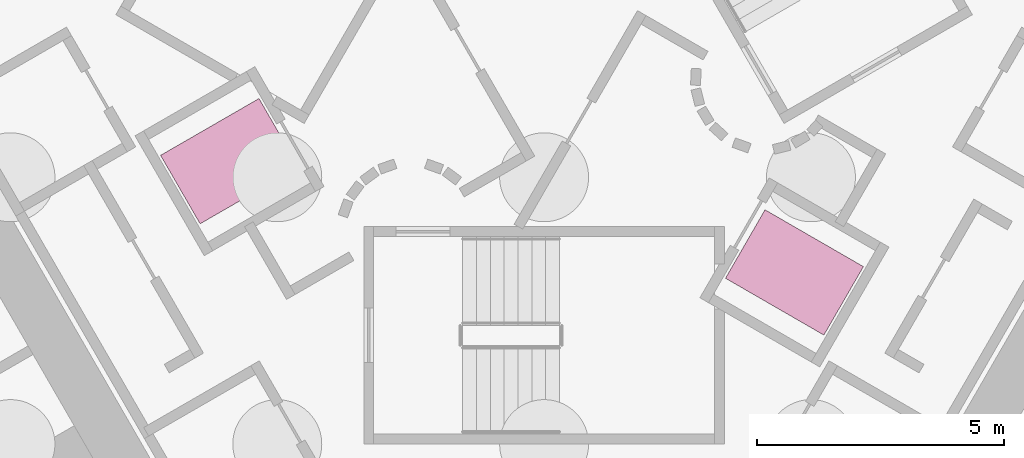
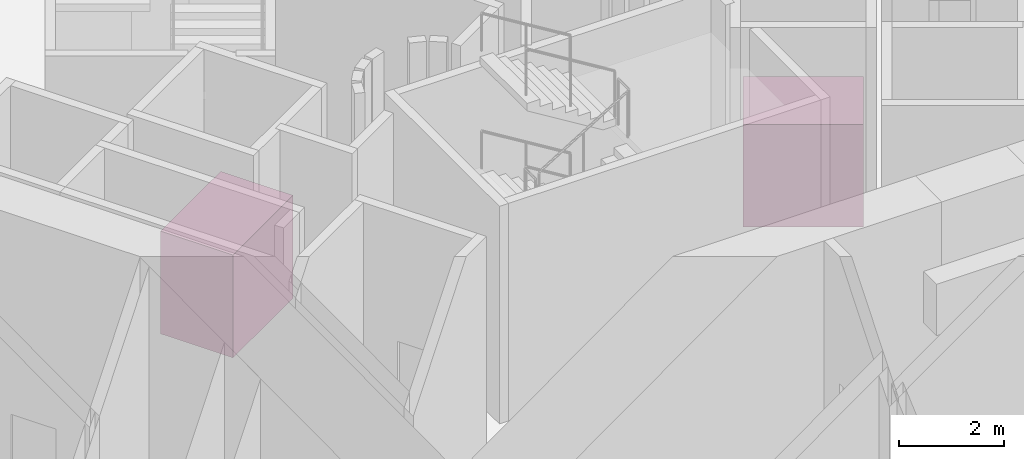
# One storey, part 14 of 14: 2 transport elements.
"""IFC4 building model written with IfcOpenShell, lengths in metres."""

from ifc_helpers import new_model, si_unit, direction, frame, origin, origin_2d, place, context, subcontext, project, spatial, rectangle, extrude, material, type_object, element, save


model = new_model("IFC4")

# Units and contexts
model_context = context("Model", 3, precision=1e-05, world=origin(), true_north=direction((0.0, 1.0)))
body_context = subcontext(model_context, "Body", "Model", "MODEL_VIEW")
ifc_project = project(units=[si_unit("LENGTHUNIT", "METRE"), si_unit("AREAUNIT", "SQUARE_METRE"), si_unit("VOLUMEUNIT", "CUBIC_METRE"), si_unit("PLANEANGLEUNIT", "RADIAN"), si_unit("MASSUNIT", "GRAM", prefix="KILO")], contexts=[model_context])

# Site, building, storey
site_placement = place(None, origin())
site = spatial("IfcSite", under=ifc_project, at=site_placement, CompositionType="ELEMENT")
building_placement = place(site_placement, origin())
building = spatial("IfcBuilding", under=site, at=building_placement, Name="Entoto Arch Interchange Tower", CompositionType="ELEMENT")
storey_placement = place(building_placement, frame((0.0, 0.0, -16.5)))
storey = spatial("IfcBuildingStorey", under=building, at=storey_placement, Name="B3", CompositionType="ELEMENT", Elevation=-16.5)

# Transport elements
ifc_material = material(Name="Stainless steel 1.4301 panels", Category="steel")
transport_element_type = type_object("IfcTransportElementType", Name="FIREFIGHTING LIFT CAR 2000 KG 1600 X 2300", PredefinedType="ELEVATOR", material=ifc_material)
for number, where, z_axis, x_axis, name in (
    (1, (5.06591796875, -1.926025390625, 0.0), (0.0, 0.0, 1.0), (-0.5, -0.866025403784, 0.0), "Lift car FF1"),
    (2, (-6.365966796875, 0.325927734375, 0.0), (0.0, 0.0, 1.0), (-0.5, 0.866025403784, 0.0), "Lift car FF2"),
):
    element("IfcTransportElement", number, at=place(storey_placement, frame(where, z_axis=z_axis, x_axis=x_axis)), inside=storey, type_object=transport_element_type, Name=name, PredefinedType="ELEVATOR", context=body_context, shape_type="SweptSolid", body=[
        extrude(rectangle(XDim=1.60009765625, YDim=2.300048828125, at=origin_2d()), origin(), (0.0, 0.0, 1.0), 2.39990234375),
    ])

save(model, "model.ifc")
